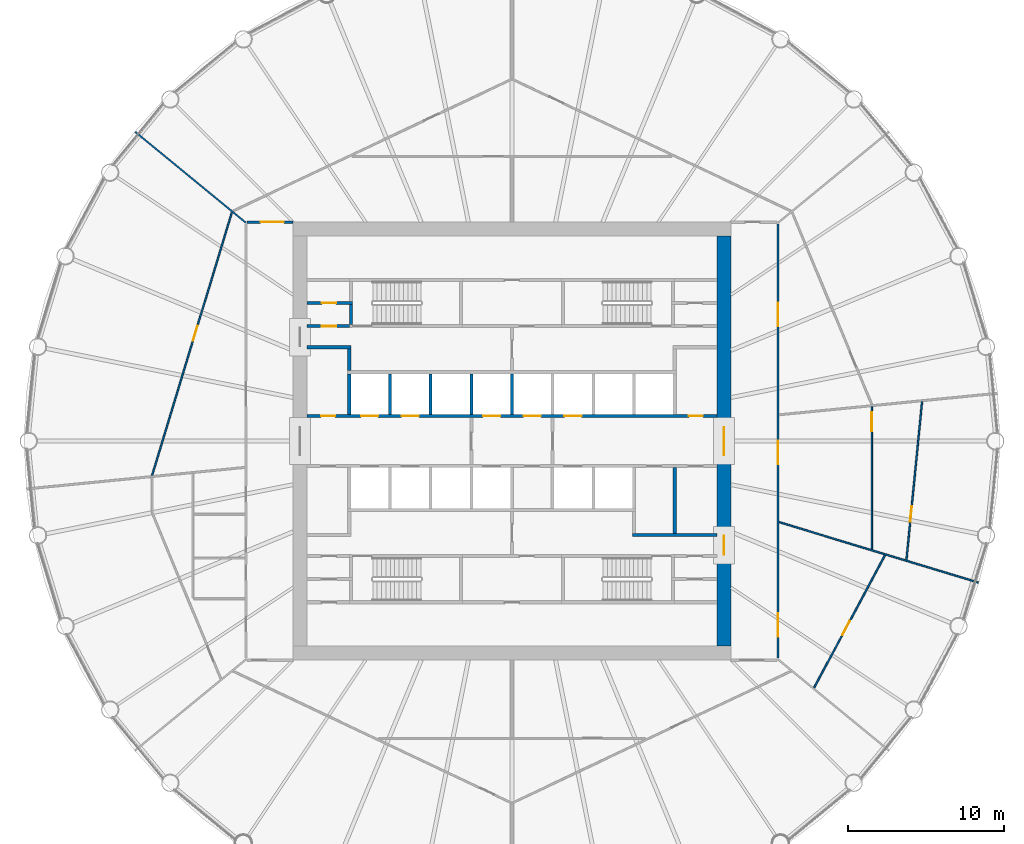
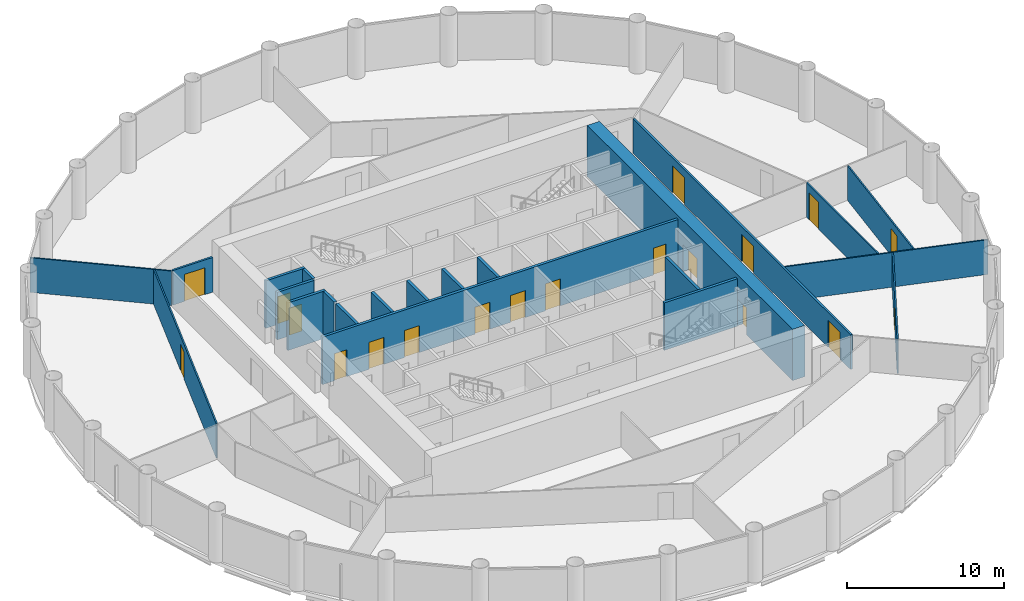
# One storey, part 6 of 9: 22 walls, 19 doors, 19 openings.
"""IFC4 building model written with IfcOpenShell, lengths in metres."""

from ifc_helpers import new_model, si_unit, direction, frame, frame_2d, origin, place, context, subcontext, project, spatial, polyline, rectangle, outline, extrude, material, layer, layer_set, type_object, element, fill, save


model = new_model("IFC4")

# Units and contexts
model_context = context("Model", 3, precision=1e-05, world=origin(), true_north=direction((0.0, 1.0)))
body_context = subcontext(model_context, "Body", "Model", "MODEL_VIEW")
ifc_project = project(units=[si_unit("LENGTHUNIT", "METRE"), si_unit("AREAUNIT", "SQUARE_METRE"), si_unit("VOLUMEUNIT", "CUBIC_METRE"), si_unit("PLANEANGLEUNIT", "RADIAN"), si_unit("MASSUNIT", "GRAM", prefix="KILO")], contexts=[model_context])

# Site, building, storey
site_placement = place(None, origin())
site = spatial("IfcSite", under=ifc_project, at=site_placement, CompositionType="ELEMENT")
building_placement = place(site_placement, origin())
building = spatial("IfcBuilding", under=site, at=building_placement, Name="Corvane Civic Tower", CompositionType="ELEMENT")
storey_placement = place(building_placement, frame((0.0, 0.0, 172.0)))
storey = spatial("IfcBuildingStorey", under=building, at=storey_placement, Name="L40", CompositionType="ELEMENT", Elevation=172.0)

# Wall, openings, doors
ifc_material_1 = material(Name="Concrete C60/75", Category="concrete")
ifc_layer_1 = layer(ifc_material_1, 0.89990234375)
ifc_layer_set_1 = layer_set([ifc_layer_1], Name="Concrete C60/75")
wall_type_1 = type_object("IfcWallType", Name="CORE WALL 900 C60/75", PredefinedType="SHEAR", material=ifc_layer_set_1)
wall_1_placement = place(storey_placement, frame((13.550048828125, -13.10009765625, 0.0), z_axis=(0.0, 0.0, 1.0), x_axis=(0.0, 1.0, 0.0)))
wall_1 = element("IfcWall", 1, at=wall_1_placement, inside=storey, type_object=wall_type_1, Name="W-L40-core-E", PredefinedType="SHEAR", context=body_context, shape_type="SweptSolid", body=[
    extrude(rectangle(XDim=26.2001953125, YDim=0.89990234375, at=frame_2d((13.10009765625, 0.0))), origin(), (0.0, 0.0, 1.0), 4.0),
])
opening_1_placement = place(wall_1_placement, frame((12.199951171875, 0.0, 0.0)))
opening_1 = element("IfcOpeningElement", 2, at=opening_1_placement, cuts=wall_1, Name="Opening L40.C29", PredefinedType="OPENING", context=body_context, shape_type="SweptSolid", body=[
    extrude(rectangle(XDim=1.800048828125, YDim=2.10009765625, at=frame_2d((0.89990234375, 1.050048828125))), frame((0.0, 0.4599609375, 0.0), z_axis=(0.0, -1.0, 0.0), x_axis=(1.0, 0.0, 0.0)), (0.0, 0.0, 1.0), 0.919921875),
])
opening_2_placement = place(wall_1_placement, frame((5.85009765625, 0.0, 0.0)))
opening_2 = element("IfcOpeningElement", 3, at=opening_2_placement, cuts=wall_1, Name="Opening L40.C31", PredefinedType="OPENING", context=body_context, shape_type="SweptSolid", body=[
    extrude(rectangle(XDim=1.199951171875, YDim=2.10009765625, at=frame_2d((0.60009765625, 1.050048828125))), frame((0.0, 0.4599609375, 0.0), z_axis=(0.0, -1.0, 0.0), x_axis=(1.0, 0.0, 0.0)), (0.0, 0.0, 1.0), 0.919921875),
])
ifc_material_2 = material(Name="Steel fire door leaf", Category="steel")
door_type_1 = type_object("IfcDoorType", Name="CR-DOOR-CORE-1800", OperationType="DOUBLE_DOOR_SINGLE_SWING", PredefinedType="DOOR", material=ifc_material_2)
door_1_placement = place(opening_1_placement, origin())
door_1 = element("IfcDoor", 4, at=door_1_placement, inside=storey, type_object=door_type_1, Name="L40 door", OperationType="DOUBLE_DOOR_SINGLE_SWING", OverallHeight=2.10009765625, OverallWidth=1.800048828125, PredefinedType="DOOR", context=body_context, shape_type="SweptSolid", body=[
    extrude(rectangle(XDim=1.800048828125, YDim=2.10009765625, at=frame_2d((0.89990234375, 1.050048828125))), frame((0.0, 0.02490234375, 0.0), z_axis=(0.0, -1.0, 0.0), x_axis=(1.0, 0.0, 0.0)), (0.0, 0.0, 1.0), 0.050048828125),
])
fill(opening_1, door_1)
door_2_placement = place(opening_2_placement, origin())
door_2 = element("IfcDoor", 5, at=door_2_placement, inside=storey, type_object=door_type_1, Name="L40 door", OperationType="DOUBLE_DOOR_SINGLE_SWING", OverallHeight=2.10009765625, OverallWidth=1.199951171875, PredefinedType="DOOR", context=body_context, shape_type="SweptSolid", body=[
    extrude(rectangle(XDim=1.199951171875, YDim=2.10009765625, at=frame_2d((0.60009765625, 1.050048828125))), frame((0.0, 0.02490234375, 0.0), z_axis=(0.0, -1.0, 0.0), x_axis=(1.0, 0.0, 0.0)), (0.0, 0.0, 1.0), 0.050048828125),
])
fill(opening_2, door_2)

ifc_material_3 = material(Name="Concrete C30/37", Category="concrete")
ifc_layer_2 = layer(ifc_material_3, 0.199951171875)
ifc_layer_set_2 = layer_set([ifc_layer_2], Name="Concrete C30/37")
wall_type_2 = type_object("IfcWallType", Name="CR-WALL-200", PredefinedType="PARTITIONING", material=ifc_layer_set_2)
wall_2_placement = place(storey_placement, frame((-13.10009765625, 1.60009765625, 0.0), z_axis=(0.0, 0.0, 1.0), x_axis=(1.0, 0.0, 0.0)))
wall_2 = element("IfcWall", 6, at=wall_2_placement, inside=storey, type_object=wall_type_2, Name="L40 lift shaft wall", PredefinedType="PARTITIONING", context=body_context, shape_type="SweptSolid", body=[
    extrude(rectangle(XDim=26.2001953125, YDim=0.199951171875, at=frame_2d((13.10009765625, 0.0))), origin(), (0.0, 0.0, 1.0), 3.699951171875),
])
opening_3_placement = place(wall_2_placement, frame((3.449951171875, 0.0, 0.0)))
opening_3 = element("IfcOpeningElement", 7, at=opening_3_placement, cuts=wall_2, Name="Opening LD", PredefinedType="OPENING", context=body_context, shape_type="SweptSolid", body=[
    extrude(rectangle(XDim=1.10009765625, YDim=2.10009765625, at=frame_2d((0.550048828125, 1.050048828125))), frame((0.0, 0.10986328125, 0.0), z_axis=(0.0, -1.0, 0.0), x_axis=(1.0, 0.0, 0.0)), (0.0, 0.0, 1.0), 0.219970703125),
])
opening_4_placement = place(wall_2_placement, frame((6.050048828125, 0.0, 0.0)))
opening_4 = element("IfcOpeningElement", 8, at=opening_4_placement, cuts=wall_2, Name="Opening LD", PredefinedType="OPENING", context=body_context, shape_type="SweptSolid", body=[
    extrude(rectangle(XDim=1.10009765625, YDim=2.10009765625, at=frame_2d((0.550048828125, 1.050048828125))), frame((0.0, 0.10986328125, 0.0), z_axis=(0.0, -1.0, 0.0), x_axis=(1.0, 0.0, 0.0)), (0.0, 0.0, 1.0), 0.219970703125),
])
opening_5_placement = place(wall_2_placement, frame((11.25, 0.0, 0.0)))
opening_5 = element("IfcOpeningElement", 9, at=opening_5_placement, cuts=wall_2, Name="Opening LD", PredefinedType="OPENING", context=body_context, shape_type="SweptSolid", body=[
    extrude(rectangle(XDim=1.10009765625, YDim=2.10009765625, at=frame_2d((0.550048828125, 1.050048828125))), frame((0.0, 0.10986328125, 0.0), z_axis=(0.0, -1.0, 0.0), x_axis=(1.0, 0.0, 0.0)), (0.0, 0.0, 1.0), 0.219970703125),
])
opening_6_placement = place(wall_2_placement, frame((13.85009765625, 0.0, 0.0)))
opening_6 = element("IfcOpeningElement", 10, at=opening_6_placement, cuts=wall_2, Name="Opening LD", PredefinedType="OPENING", context=body_context, shape_type="SweptSolid", body=[
    extrude(rectangle(XDim=1.10009765625, YDim=2.10009765625, at=frame_2d((0.550048828125, 1.050048828125))), frame((0.0, 0.10986328125, 0.0), z_axis=(0.0, -1.0, 0.0), x_axis=(1.0, 0.0, 0.0)), (0.0, 0.0, 1.0), 0.219970703125),
])
opening_7_placement = place(wall_2_placement, frame((16.449951171875, 0.0, 0.0)))
opening_7 = element("IfcOpeningElement", 11, at=opening_7_placement, cuts=wall_2, Name="Opening LD", PredefinedType="OPENING", context=body_context, shape_type="SweptSolid", body=[
    extrude(rectangle(XDim=1.10009765625, YDim=2.10009765625, at=frame_2d((0.550048828125, 1.050048828125))), frame((0.0, 0.10986328125, 0.0), z_axis=(0.0, -1.0, 0.0), x_axis=(1.0, 0.0, 0.0)), (0.0, 0.0, 1.0), 0.219970703125),
])
opening_8_placement = place(wall_2_placement, frame((0.89990234375, 0.0, 0.0)))
opening_8 = element("IfcOpeningElement", 12, at=opening_8_placement, cuts=wall_2, Name="Opening L40.C01", PredefinedType="OPENING", context=body_context, shape_type="SweptSolid", body=[
    extrude(rectangle(XDim=0.89990234375, YDim=2.10009765625, at=frame_2d((0.449951171875, 1.050048828125))), frame((0.0, 0.10986328125, 0.0), z_axis=(0.0, -1.0, 0.0), x_axis=(1.0, 0.0, 0.0)), (0.0, 0.0, 1.0), 0.219970703125),
])
opening_9_placement = place(wall_2_placement, frame((24.39990234375, 0.0, 0.0)))
opening_9 = element("IfcOpeningElement", 13, at=opening_9_placement, cuts=wall_2, Name="Opening L40.C02", PredefinedType="OPENING", context=body_context, shape_type="SweptSolid", body=[
    extrude(rectangle(XDim=0.89990234375, YDim=2.10009765625, at=frame_2d((0.449951171875, 1.050048828125))), frame((0.0, 0.10986328125, 0.0), z_axis=(0.0, -1.0, 0.0), x_axis=(1.0, 0.0, 0.0)), (0.0, 0.0, 1.0), 0.219970703125),
])
ifc_material_4 = material(Name="Steel fire door leaf", Category="steel")
door_type_2 = type_object("IfcDoorType", Name="CR-DOOR-900", OperationType="SINGLE_SWING_LEFT", PredefinedType="DOOR", material=ifc_material_4)
door_3_placement = place(opening_8_placement, origin())
door_3 = element("IfcDoor", 14, at=door_3_placement, inside=storey, type_object=door_type_2, Name="L40 door", OperationType="SINGLE_SWING_LEFT", OverallHeight=2.10009765625, OverallWidth=0.89990234375, PredefinedType="DOOR", context=body_context, shape_type="SweptSolid", body=[
    extrude(rectangle(XDim=0.89990234375, YDim=2.10009765625, at=frame_2d((0.449951171875, 1.050048828125))), frame((0.0, 0.02490234375, 0.0), z_axis=(0.0, -1.0, 0.0), x_axis=(1.0, 0.0, 0.0)), (0.0, 0.0, 1.0), 0.050048828125),
])
fill(opening_8, door_3)
door_4_placement = place(opening_9_placement, origin())
door_4 = element("IfcDoor", 15, at=door_4_placement, inside=storey, type_object=door_type_2, Name="L40 door", OperationType="SINGLE_SWING_LEFT", OverallHeight=2.10009765625, OverallWidth=0.89990234375, PredefinedType="DOOR", context=body_context, shape_type="SweptSolid", body=[
    extrude(rectangle(XDim=0.89990234375, YDim=2.10009765625, at=frame_2d((0.449951171875, 1.050048828125))), frame((0.0, 0.02490234375, 0.0), z_axis=(0.0, -1.0, 0.0), x_axis=(1.0, 0.0, 0.0)), (0.0, 0.0, 1.0), 0.050048828125),
])
fill(opening_9, door_4)
ifc_material_5 = material(Name="Stainless steel 316 door leaves", Category="steel")
door_type_3 = type_object("IfcDoorType", Name="LD", OperationType="DOUBLE_DOOR_SLIDING", PredefinedType="DOOR", material=ifc_material_5)
door_5_placement = place(opening_3_placement, origin())
door_5 = element("IfcDoor", 16, at=door_5_placement, inside=storey, type_object=door_type_3, Name="L40 landing door", OperationType="DOUBLE_DOOR_SLIDING", OverallHeight=2.10009765625, OverallWidth=1.10009765625, PredefinedType="DOOR", context=body_context, shape_type="SweptSolid", body=[
    extrude(rectangle(XDim=1.10009765625, YDim=2.10009765625, at=frame_2d((0.550048828125, 1.050048828125))), frame((0.0, 0.02490234375, 0.0), z_axis=(0.0, -1.0, 0.0), x_axis=(1.0, 0.0, 0.0)), (0.0, 0.0, 1.0), 0.050048828125),
])
fill(opening_3, door_5)
door_6_placement = place(opening_4_placement, origin())
door_6 = element("IfcDoor", 17, at=door_6_placement, inside=storey, type_object=door_type_3, Name="L40 landing door", OperationType="DOUBLE_DOOR_SLIDING", OverallHeight=2.10009765625, OverallWidth=1.10009765625, PredefinedType="DOOR", context=body_context, shape_type="SweptSolid", body=[
    extrude(rectangle(XDim=1.10009765625, YDim=2.10009765625, at=frame_2d((0.550048828125, 1.050048828125))), frame((0.0, 0.02490234375, 0.0), z_axis=(0.0, -1.0, 0.0), x_axis=(1.0, 0.0, 0.0)), (0.0, 0.0, 1.0), 0.050048828125),
])
fill(opening_4, door_6)
door_7_placement = place(opening_5_placement, origin())
door_7 = element("IfcDoor", 18, at=door_7_placement, inside=storey, type_object=door_type_3, Name="L40 landing door", OperationType="DOUBLE_DOOR_SLIDING", OverallHeight=2.10009765625, OverallWidth=1.10009765625, PredefinedType="DOOR", context=body_context, shape_type="SweptSolid", body=[
    extrude(rectangle(XDim=1.10009765625, YDim=2.10009765625, at=frame_2d((0.550048828125, 1.050048828125))), frame((0.0, 0.02490234375, 0.0), z_axis=(0.0, -1.0, 0.0), x_axis=(1.0, 0.0, 0.0)), (0.0, 0.0, 1.0), 0.050048828125),
])
fill(opening_5, door_7)
door_8_placement = place(opening_6_placement, origin())
door_8 = element("IfcDoor", 19, at=door_8_placement, inside=storey, type_object=door_type_3, Name="L40 landing door", OperationType="DOUBLE_DOOR_SLIDING", OverallHeight=2.10009765625, OverallWidth=1.10009765625, PredefinedType="DOOR", context=body_context, shape_type="SweptSolid", body=[
    extrude(rectangle(XDim=1.10009765625, YDim=2.10009765625, at=frame_2d((0.550048828125, 1.050048828125))), frame((0.0, 0.02490234375, 0.0), z_axis=(0.0, -1.0, 0.0), x_axis=(1.0, 0.0, 0.0)), (0.0, 0.0, 1.0), 0.050048828125),
])
fill(opening_6, door_8)
door_9_placement = place(opening_7_placement, origin())
door_9 = element("IfcDoor", 20, at=door_9_placement, inside=storey, type_object=door_type_3, Name="L40 landing door", OperationType="DOUBLE_DOOR_SLIDING", OverallHeight=2.10009765625, OverallWidth=1.10009765625, PredefinedType="DOOR", context=body_context, shape_type="SweptSolid", body=[
    extrude(rectangle(XDim=1.10009765625, YDim=2.10009765625, at=frame_2d((0.550048828125, 1.050048828125))), frame((0.0, 0.02490234375, 0.0), z_axis=(0.0, -1.0, 0.0), x_axis=(1.0, 0.0, 0.0)), (0.0, 0.0, 1.0), 0.050048828125),
])
fill(opening_7, door_9)

# Wall, opening, door
wall_3_placement = place(storey_placement, frame((-13.10009765625, 7.35009765625, 0.0), z_axis=(0.0, 0.0, 1.0), x_axis=(1.0, 0.0, 0.0)))
wall_3 = element("IfcWall", 21, at=wall_3_placement, inside=storey, type_object=wall_type_2, Name="L40 core partition wall", PredefinedType="PARTITIONING", context=body_context, shape_type="SweptSolid", body=[
    extrude(rectangle(XDim=2.7001953125, YDim=0.199951171875, at=frame_2d((1.35009765625, 0.0))), origin(), (0.0, 0.0, 1.0), 3.699951171875),
])
opening_10_placement = place(wall_3_placement, frame((0.949951171875, 0.0, 0.0)))
opening_10 = element("IfcOpeningElement", 22, at=opening_10_placement, cuts=wall_3, Name="Opening L40.C11", PredefinedType="OPENING", context=body_context, shape_type="SweptSolid", body=[
    extrude(rectangle(XDim=0.89990234375, YDim=2.10009765625, at=frame_2d((0.449951171875, 1.050048828125))), frame((0.0, 0.10986328125, 0.0), z_axis=(0.0, -1.0, 0.0), x_axis=(1.0, 0.0, 0.0)), (0.0, 0.0, 1.0), 0.219970703125),
])
door_10_placement = place(opening_10_placement, origin())
door_10 = element("IfcDoor", 23, at=door_10_placement, inside=storey, type_object=door_type_2, Name="L40 door", OperationType="SINGLE_SWING_LEFT", OverallHeight=2.10009765625, OverallWidth=0.89990234375, PredefinedType="DOOR", context=body_context, shape_type="SweptSolid", body=[
    extrude(rectangle(XDim=0.89990234375, YDim=2.10009765625, at=frame_2d((0.449951171875, 1.050048828125))), frame((0.0, 0.02490234375, 0.0), z_axis=(0.0, -1.0, 0.0), x_axis=(1.0, 0.0, 0.0)), (0.0, 0.0, 1.0), 0.050048828125),
])
fill(opening_10, door_10)

wall_4_placement = place(storey_placement, frame((-13.10009765625, 8.824951171875, 0.0), z_axis=(0.0, 0.0, 1.0), x_axis=(1.0, 0.0, 0.0)))
wall_4 = element("IfcWall", 24, at=wall_4_placement, inside=storey, type_object=wall_type_2, Name="L40 partition wall", PredefinedType="PARTITIONING", context=body_context, shape_type="SweptSolid", body=[
    extrude(rectangle(XDim=2.900146484375, YDim=0.199951171875, at=frame_2d((1.4501953125, 0.0))), origin(), (0.0, 0.0, 1.0), 3.699951171875),
])
opening_11_placement = place(wall_4_placement, frame((0.949951171875, 0.0, 0.0)))
opening_11 = element("IfcOpeningElement", 25, at=opening_11_placement, cuts=wall_4, Name="Opening L40.C12", PredefinedType="OPENING", context=body_context, shape_type="SweptSolid", body=[
    extrude(rectangle(XDim=0.89990234375, YDim=2.10009765625, at=frame_2d((0.449951171875, 1.050048828125))), frame((0.0, 0.10986328125, 0.0), z_axis=(0.0, -1.0, 0.0), x_axis=(1.0, 0.0, 0.0)), (0.0, 0.0, 1.0), 0.219970703125),
])
door_11_placement = place(opening_11_placement, origin())
door_11 = element("IfcDoor", 26, at=door_11_placement, inside=storey, type_object=door_type_2, Name="L40 door", OperationType="SINGLE_SWING_LEFT", OverallHeight=2.10009765625, OverallWidth=0.89990234375, PredefinedType="DOOR", context=body_context, shape_type="SweptSolid", body=[
    extrude(rectangle(XDim=0.89990234375, YDim=2.10009765625, at=frame_2d((0.449951171875, 1.050048828125))), frame((0.0, 0.02490234375, 0.0), z_axis=(0.0, -1.0, 0.0), x_axis=(1.0, 0.0, 0.0)), (0.0, 0.0, 1.0), 0.050048828125),
])
fill(opening_11, door_11)

# Walls
wall_5_placement = place(storey_placement, origin())
element("IfcWall", 27, at=wall_5_placement, inside=storey, type_object=wall_type_2, Name="L40 core partition wall", PredefinedType="PARTITIONING", context=body_context, shape_type="SweptSolid", body=[
    extrude(outline(polyline([(13.10009765625, -6.10009765625), (7.699951171875, -6.10009765625), (7.699951171875, -5.89990234375), (13.10009765625, -5.89990234375), (13.10009765625, -6.10009765625)])), origin(), (0.0, 0.0, 1.0), 3.699951171875),
])
wall_6_placement = place(storey_placement, origin())
element("IfcWall", 28, at=wall_6_placement, inside=storey, type_object=wall_type_2, Name="L40 core partition wall", PredefinedType="PARTITIONING", context=body_context, shape_type="SweptSolid", body=[
    extrude(outline(polyline([(10.5, -1.699951171875), (10.5, -5.89990234375), (10.300048828125, -5.89990234375), (10.300048828125, -1.699951171875), (10.5, -1.699951171875)])), origin(), (0.0, 0.0, 1.0), 3.699951171875),
])
wall_7_placement = place(storey_placement, origin())
element("IfcWall", 29, at=wall_7_placement, inside=storey, type_object=wall_type_2, Name="L40 core partition wall", PredefinedType="PARTITIONING", context=body_context, shape_type="SweptSolid", body=[
    extrude(outline(polyline([(-10.300048828125, 5.89990234375), (-13.10009765625, 5.89990234375), (-13.10009765625, 6.10009765625), (-10.300048828125, 6.10009765625), (-10.300048828125, 5.89990234375)])), origin(), (0.0, 0.0, 1.0), 3.699951171875),
])
wall_8_placement = place(storey_placement, origin())
element("IfcWall", 30, at=wall_8_placement, inside=storey, type_object=wall_type_2, Name="L40 core partition wall", PredefinedType="PARTITIONING", context=body_context, shape_type="SweptSolid", body=[
    extrude(outline(polyline([(-2.5, 1.699951171875), (-2.699951171875, 1.699951171875), (-2.699951171875, 4.2998046875), (-2.5, 4.2998046875), (-2.5, 1.699951171875)])), origin(), (0.0, 0.0, 1.0), 3.699951171875),
])
wall_9_placement = place(storey_placement, origin())
element("IfcWall", 31, at=wall_9_placement, inside=storey, type_object=wall_type_2, Name="L40 core partition wall", PredefinedType="PARTITIONING", context=body_context, shape_type="SweptSolid", body=[
    extrude(outline(polyline([(0.10009765625, 1.699951171875), (-0.10009765625, 1.699951171875), (-0.10009765625, 4.2998046875), (0.10009765625, 4.2998046875), (0.10009765625, 1.699951171875)])), origin(), (0.0, 0.0, 1.0), 3.699951171875),
])
wall_10_placement = place(storey_placement, origin())
element("IfcWall", 32, at=wall_10_placement, inside=storey, type_object=wall_type_2, Name="L40 core partition wall", PredefinedType="PARTITIONING", context=body_context, shape_type="SweptSolid", body=[
    extrude(outline(polyline([(-10.300048828125, 1.699951171875), (-10.5, 1.699951171875), (-10.5, 4.2998046875), (-10.300048828125, 4.2998046875), (-10.300048828125, 1.699951171875)])), origin(), (0.0, 0.0, 1.0), 3.699951171875),
])
wall_11_placement = place(storey_placement, origin())
element("IfcWall", 33, at=wall_11_placement, inside=storey, type_object=wall_type_2, Name="L40 core partition wall", PredefinedType="PARTITIONING", context=body_context, shape_type="SweptSolid", body=[
    extrude(outline(polyline([(-7.699951171875, 1.699951171875), (-7.89990234375, 1.699951171875), (-7.89990234375, 4.2998046875), (-7.699951171875, 4.2998046875), (-7.699951171875, 1.699951171875)])), origin(), (0.0, 0.0, 1.0), 3.699951171875),
])
wall_12_placement = place(storey_placement, origin())
element("IfcWall", 34, at=wall_12_placement, inside=storey, type_object=wall_type_2, Name="L40 core partition wall", PredefinedType="PARTITIONING", context=body_context, shape_type="SweptSolid", body=[
    extrude(outline(polyline([(-5.10009765625, 1.699951171875), (-5.300048828125, 1.699951171875), (-5.300048828125, 4.2998046875), (-5.10009765625, 4.2998046875), (-5.10009765625, 1.699951171875)])), origin(), (0.0, 0.0, 1.0), 3.699951171875),
])
wall_13_placement = place(storey_placement, origin())
element("IfcWall", 35, at=wall_13_placement, inside=storey, type_object=wall_type_2, Name="L40 core partition wall", PredefinedType="PARTITIONING", context=body_context, shape_type="SweptSolid", body=[
    extrude(outline(polyline([(-10.300048828125, 4.5), (-10.5, 4.5), (-10.5, 5.89990234375), (-10.300048828125, 5.89990234375), (-10.300048828125, 4.5)])), origin(), (0.0, 0.0, 1.0), 3.699951171875),
])

# Wall, opening, door
ifc_material_6 = material(Name="Plasterboard")
ifc_layer_3 = layer(ifc_material_6, 0.10009765625)
ifc_layer_set_3 = layer_set([ifc_layer_3], Name="Plasterboard")
wall_type_3 = type_object("IfcWallType", Name="Partition 100 plasterboard on studs", PredefinedType="PARTITIONING", material=ifc_layer_set_3)
wall_14_placement = place(storey_placement, frame((19.309814453125, -15.769775390625, 0.0), z_axis=(0.0, 0.0, 1.0), x_axis=(0.471375227101, 0.881932761199, 0.0)))
wall_14 = element("IfcWall", 36, at=wall_14_placement, inside=storey, type_object=wall_type_3, Name="Partition L40.008", PredefinedType="PARTITIONING", context=body_context, shape_type="SweptSolid", body=[
    extrude(rectangle(XDim=9.6103515625, YDim=0.10009765625, at=frame_2d((4.80517578125, 0.0))), origin(), (0.0, 0.0, 1.0), 2.699951171875),
])
opening_12_placement = place(wall_14_placement, frame((3.83349609375, 0.0, 0.0)))
opening_12 = element("IfcOpeningElement", 37, at=opening_12_placement, cuts=wall_14, Name="Opening L40.016", PredefinedType="OPENING", context=body_context, shape_type="SweptSolid", body=[
    extrude(rectangle(XDim=1.0, YDim=2.10009765625, at=frame_2d((0.5, 1.050048828125))), frame((0.0, 0.06005859375, 0.0), z_axis=(0.0, -1.0, 0.0), x_axis=(1.0, 0.0, 0.0)), (0.0, 0.0, 1.0), 0.1201171875),
])
ifc_material_7 = material(Name="Timber", Category="wood")
door_type_4 = type_object("IfcDoorType", Name="Single door 1000", OperationType="NOTDEFINED", PredefinedType="DOOR", material=ifc_material_7)
door_12_placement = place(opening_12_placement, frame((1.0, 0.0, 0.0), z_axis=(0.0, 0.0, 1.0), x_axis=(-1.0, 0.0, 0.0)))
door_12 = element("IfcDoor", 38, at=door_12_placement, inside=storey, type_object=door_type_4, Name="Door L40.016", OperationType="SINGLE_SWING_LEFT", OverallHeight=2.10009765625, OverallWidth=1.0, PredefinedType="DOOR", context=body_context, shape_type="SweptSolid", body=[
    extrude(rectangle(XDim=1.0, YDim=2.10009765625, at=frame_2d((0.5, 1.050048828125))), frame((0.0, 0.02490234375, 0.0), z_axis=(0.0, -1.0, 0.0), x_axis=(1.0, 0.0, 0.0)), (0.0, 0.0, 1.0), 0.050048828125),
])
fill(opening_12, door_12)

# Wall
wall_15_placement = place(storey_placement, frame((17.089599609375, -5.18408203125, 0.0), z_axis=(0.0, 0.0, 1.0), x_axis=(0.956939088308, -0.290288789428, 0.0)))
element("IfcWall", 39, at=wall_15_placement, inside=storey, type_object=wall_type_3, Name="Partition L40.016", PredefinedType="PARTITIONING", context=body_context, shape_type="SweptSolid", body=[
    extrude(rectangle(XDim=13.29150390625, YDim=0.10009765625, at=frame_2d((6.645751953125, 0.0))), origin(), (0.0, 0.0, 1.0), 2.699951171875),
])

# Wall, opening, door
wall_16_placement = place(storey_placement, frame((25.216064453125, -7.586669921875, 0.0), z_axis=(0.0, 0.0, 1.0), x_axis=(0.098020959385, 0.995184350521, 0.0)))
wall_16 = element("IfcWall", 40, at=wall_16_placement, inside=storey, type_object=wall_type_3, Name="Partition L40.017", PredefinedType="PARTITIONING", context=body_context, shape_type="SweptSolid", body=[
    extrude(rectangle(XDim=10.156982421875, YDim=0.10009765625, at=frame_2d((5.07861328125, 0.0))), origin(), (0.0, 0.0, 1.0), 2.699951171875),
])
opening_13_placement = place(wall_16_placement, frame((2.4521484375, 0.0, 0.0)))
opening_13 = element("IfcOpeningElement", 41, at=opening_13_placement, cuts=wall_16, Name="Opening L40.013", PredefinedType="OPENING", context=body_context, shape_type="SweptSolid", body=[
    extrude(rectangle(XDim=1.0, YDim=2.10009765625, at=frame_2d((0.5, 1.050048828125))), frame((0.0, 0.06005859375, 0.0), z_axis=(0.0, -1.0, 0.0), x_axis=(1.0, 0.0, 0.0)), (0.0, 0.0, 1.0), 0.1201171875),
])
door_13_placement = place(opening_13_placement, frame((1.0, 0.0, 0.0), z_axis=(0.0, 0.0, 1.0), x_axis=(-1.0, 0.0, 0.0)))
door_13 = element("IfcDoor", 42, at=door_13_placement, inside=storey, type_object=door_type_4, Name="Door L40.013", OperationType="SINGLE_SWING_LEFT", OverallHeight=2.10009765625, OverallWidth=1.0, PredefinedType="DOOR", context=body_context, shape_type="SweptSolid", body=[
    extrude(rectangle(XDim=1.0, YDim=2.10009765625, at=frame_2d((0.5, 1.050048828125))), frame((0.0, 0.02490234375, 0.0), z_axis=(0.0, -1.0, 0.0), x_axis=(1.0, 0.0, 0.0)), (0.0, 0.0, 1.0), 0.050048828125),
])
fill(opening_13, door_13)

wall_17_placement = place(storey_placement, frame((23.0, -6.90966796875, 0.0), z_axis=(0.0, 0.0, 1.0), x_axis=(0.0, 1.0, 0.0)))
wall_17 = element("IfcWall", 43, at=wall_17_placement, inside=storey, type_object=wall_type_3, Name="Partition L40.019", PredefinedType="PARTITIONING", context=body_context, shape_type="SweptSolid", body=[
    extrude(rectangle(XDim=9.119873046875, YDim=0.10009765625, at=frame_2d((4.56005859375, 0.0))), origin(), (0.0, 0.0, 1.0), 2.699951171875),
])
opening_14_placement = place(wall_17_placement, frame((7.555908203125, 0.0, 0.0)))
opening_14 = element("IfcOpeningElement", 44, at=opening_14_placement, cuts=wall_17, Name="Opening L40.014", PredefinedType="OPENING", context=body_context, shape_type="SweptSolid", body=[
    extrude(rectangle(XDim=1.199951171875, YDim=2.10009765625, at=frame_2d((0.60009765625, 1.050048828125))), frame((0.0, 0.06005859375, 0.0), z_axis=(0.0, -1.0, 0.0), x_axis=(1.0, 0.0, 0.0)), (0.0, 0.0, 1.0), 0.1201171875),
])
ifc_material_8 = material(Name="Timber", Category="wood")
door_type_5 = type_object("IfcDoorType", Name="Double door 1200", OperationType="NOTDEFINED", PredefinedType="DOOR", material=ifc_material_8)
door_14_placement = place(opening_14_placement, frame((1.199951171875, 0.0, 0.0), z_axis=(0.0, 0.0, 1.0), x_axis=(-1.0, 0.0, 0.0)))
door_14 = element("IfcDoor", 45, at=door_14_placement, inside=storey, type_object=door_type_5, Name="Door L40.014", OperationType="DOUBLE_DOOR_SINGLE_SWING", OverallHeight=2.10009765625, OverallWidth=1.199951171875, PredefinedType="DOOR", context=body_context, shape_type="SweptSolid", body=[
    extrude(rectangle(XDim=1.199951171875, YDim=2.10009765625, at=frame_2d((0.60009765625, 1.050048828125))), frame((0.0, 0.02490234375, 0.0), z_axis=(0.0, -1.0, 0.0), x_axis=(1.0, 0.0, 0.0)), (0.0, 0.0, 1.0), 0.050048828125),
])
fill(opening_14, door_14)

wall_18_placement = place(storey_placement, frame((-23.007568359375, -2.196533203125, 0.0), z_axis=(0.0, 0.0, 1.0), x_axis=(0.2902902072, 0.956938658224, 0.0)))
wall_18 = element("IfcWall", 46, at=wall_18_placement, inside=storey, type_object=wall_type_3, Name="Partition L40.023", PredefinedType="PARTITIONING", context=body_context, shape_type="SweptSolid", body=[
    extrude(rectangle(XDim=17.561279296875, YDim=0.10009765625, at=frame_2d((8.78076171875, 0.0))), origin(), (0.0, 0.0, 1.0), 2.699951171875),
])
opening_15_placement = place(wall_18_placement, frame((9.005615234375, 0.0, 0.0)))
opening_15 = element("IfcOpeningElement", 47, at=opening_15_placement, cuts=wall_18, Name="Opening L40.023", PredefinedType="OPENING", context=body_context, shape_type="SweptSolid", body=[
    extrude(rectangle(XDim=1.0, YDim=2.10009765625, at=frame_2d((0.5, 1.050048828125))), frame((0.0, 0.06005859375, 0.0), z_axis=(0.0, -1.0, 0.0), x_axis=(1.0, 0.0, 0.0)), (0.0, 0.0, 1.0), 0.1201171875),
])
door_15_placement = place(opening_15_placement, origin())
door_15 = element("IfcDoor", 48, at=door_15_placement, inside=storey, type_object=door_type_4, Name="Door L40.023", OperationType="SINGLE_SWING_LEFT", OverallHeight=2.10009765625, OverallWidth=1.0, PredefinedType="DOOR", context=body_context, shape_type="SweptSolid", body=[
    extrude(rectangle(XDim=1.0, YDim=2.10009765625, at=frame_2d((0.5, 1.050048828125))), frame((0.0, 0.02490234375, 0.0), z_axis=(0.0, -1.0, 0.0), x_axis=(1.0, 0.0, 0.0)), (0.0, 0.0, 1.0), 0.050048828125),
])
fill(opening_15, door_15)

# Walls
wall_19_placement = place(storey_placement, frame((-24.079345703125, 19.761474609375, 0.0), z_axis=(0.0, 0.0, 1.0), x_axis=(0.773006154143, -0.634398522742, 0.0)))
element("IfcWall", 49, at=wall_19_placement, inside=storey, type_object=wall_type_3, Name="Partition L40.026", PredefinedType="PARTITIONING", context=body_context, shape_type="SweptSolid", body=[
    extrude(rectangle(XDim=9.134521484375, YDim=0.10009765625, at=frame_2d((4.5673828125, 0.0))), origin(), (0.0, 0.0, 1.0), 2.699951171875),
])
ifc_material_9 = material(Name="Concrete C50/60", Category="concrete")
ifc_layer_4 = layer(ifc_material_9, 0.199951171875)
ifc_layer_set_4 = layer_set([ifc_layer_4], Name="Concrete C50/60")
wall_type_4 = type_object("IfcWallType", Name="ST-WALL-200", PredefinedType="SHEAR", material=ifc_layer_set_4)
wall_20_placement = place(storey_placement, origin())
element("IfcWall", 50, at=wall_20_placement, inside=storey, type_object=wall_type_4, Name="L40 stair enclosure wall", PredefinedType="SHEAR", context=body_context, shape_type="SweptSolid", body=[
    extrude(outline(polyline([(-10.199951171875, 8.72509765625), (-10.199951171875, 7.449951171875), (-10.39990234375, 7.449951171875), (-10.39990234375, 8.72509765625), (-10.199951171875, 8.72509765625)])), origin(), (0.0, 0.0, 1.0), 3.699951171875),
])

# Wall, openings, doors
ifc_material_10 = material(Name="Plasterboard")
ifc_layer_5 = layer(ifc_material_10, 0.14990234375)
ifc_layer_set_5 = layer_set([ifc_layer_5], Name="Plasterboard")
wall_type_5 = type_object("IfcWallType", Name="Tenancy wall 150 EI 60", PredefinedType="PARTITIONING", material=ifc_layer_set_5)
wall_21_placement = place(storey_placement, frame((17.0, -13.87646484375, 0.0), z_axis=(0.0, 0.0, 1.0), x_axis=(0.0, 1.0, 0.0)))
wall_21 = element("IfcWall", 51, at=wall_21_placement, inside=storey, type_object=wall_type_5, Name="Partition L40.013", PredefinedType="PARTITIONING", context=body_context, shape_type="SweptSolid", body=[
    extrude(rectangle(XDim=27.7529296875, YDim=0.14990234375, at=frame_2d((13.87646484375, 0.0))), origin(), (0.0, 0.0, 1.0), 2.699951171875),
])
opening_16_placement = place(wall_21_placement, frame((21.2138671875, 0.0, 0.0)))
opening_16 = element("IfcOpeningElement", 52, at=opening_16_placement, cuts=wall_21, Name="Opening L40.012", PredefinedType="OPENING", context=body_context, shape_type="SweptSolid", body=[
    extrude(rectangle(XDim=1.5, YDim=2.10009765625, at=frame_2d((0.75, 1.050048828125))), frame((0.0, 0.0849609375, 0.0), z_axis=(0.0, -1.0, 0.0), x_axis=(1.0, 0.0, 0.0)), (0.0, 0.0, 1.0), 0.169921875),
])
opening_17_placement = place(wall_21_placement, frame((12.397216796875, 0.0, 0.0)))
opening_17 = element("IfcOpeningElement", 53, at=opening_17_placement, cuts=wall_21, Name="Opening L40.015", PredefinedType="OPENING", context=body_context, shape_type="SweptSolid", body=[
    extrude(rectangle(XDim=1.5, YDim=2.10009765625, at=frame_2d((0.75, 1.050048828125))), frame((0.0, 0.0849609375, 0.0), z_axis=(0.0, -1.0, 0.0), x_axis=(1.0, 0.0, 0.0)), (0.0, 0.0, 1.0), 0.169921875),
])
opening_18_placement = place(wall_21_placement, frame((1.360595703125, 0.0, 0.0)))
opening_18 = element("IfcOpeningElement", 54, at=opening_18_placement, cuts=wall_21, Name="Opening L40.017", PredefinedType="OPENING", context=body_context, shape_type="SweptSolid", body=[
    extrude(rectangle(XDim=1.5, YDim=2.10009765625, at=frame_2d((0.75, 1.050048828125))), frame((0.0, 0.0849609375, 0.0), z_axis=(0.0, -1.0, 0.0), x_axis=(1.0, 0.0, 0.0)), (0.0, 0.0, 1.0), 0.169921875),
])
ifc_material_11 = material(Name="Steel and timber", Category="steel")
door_type_6 = type_object("IfcDoorType", Name="Fire door FD60 double 1500", OperationType="NOTDEFINED", PredefinedType="DOOR", material=ifc_material_11)
door_16_placement = place(opening_16_placement, frame((1.5, 0.0, 0.0), z_axis=(0.0, 0.0, 1.0), x_axis=(-1.0, 0.0, 0.0)))
door_16 = element("IfcDoor", 55, at=door_16_placement, inside=storey, type_object=door_type_6, Name="Door L40.012", OperationType="DOUBLE_DOOR_SINGLE_SWING", OverallHeight=2.10009765625, OverallWidth=1.5, PredefinedType="DOOR", context=body_context, shape_type="SweptSolid", body=[
    extrude(rectangle(XDim=1.5, YDim=2.10009765625, at=frame_2d((0.75, 1.050048828125))), frame((0.0, 0.02490234375, 0.0), z_axis=(0.0, -1.0, 0.0), x_axis=(1.0, 0.0, 0.0)), (0.0, 0.0, 1.0), 0.050048828125),
])
fill(opening_16, door_16)
door_17_placement = place(opening_17_placement, frame((1.5, 0.0, 0.0), z_axis=(0.0, 0.0, 1.0), x_axis=(-1.0, 0.0, 0.0)))
door_17 = element("IfcDoor", 56, at=door_17_placement, inside=storey, type_object=door_type_6, Name="Door L40.015", OperationType="DOUBLE_DOOR_SINGLE_SWING", OverallHeight=2.10009765625, OverallWidth=1.5, PredefinedType="DOOR", context=body_context, shape_type="SweptSolid", body=[
    extrude(rectangle(XDim=1.5, YDim=2.10009765625, at=frame_2d((0.75, 1.050048828125))), frame((0.0, 0.02490234375, 0.0), z_axis=(0.0, -1.0, 0.0), x_axis=(1.0, 0.0, 0.0)), (0.0, 0.0, 1.0), 0.050048828125),
])
fill(opening_17, door_17)
door_18_placement = place(opening_18_placement, frame((1.5, 0.0, 0.0), z_axis=(0.0, 0.0, 1.0), x_axis=(-1.0, 0.0, 0.0)))
door_18 = element("IfcDoor", 57, at=door_18_placement, inside=storey, type_object=door_type_6, Name="Door L40.017", OperationType="DOUBLE_DOOR_SINGLE_SWING", OverallHeight=2.10009765625, OverallWidth=1.5, PredefinedType="DOOR", context=body_context, shape_type="SweptSolid", body=[
    extrude(rectangle(XDim=1.5, YDim=2.10009765625, at=frame_2d((0.75, 1.050048828125))), frame((0.0, 0.02490234375, 0.0), z_axis=(0.0, -1.0, 0.0), x_axis=(1.0, 0.0, 0.0)), (0.0, 0.0, 1.0), 0.050048828125),
])
fill(opening_18, door_18)

# Wall, opening, door
wall_22_placement = place(storey_placement, frame((-16.925048828125, 14.0, 0.0), z_axis=(0.0, 0.0, 1.0), x_axis=(1.0, 0.0, 0.0)))
wall_22 = element("IfcWall", 58, at=wall_22_placement, inside=storey, type_object=wall_type_5, Name="Partition L40.028", PredefinedType="PARTITIONING", context=body_context, shape_type="SweptSolid", body=[
    extrude(rectangle(XDim=2.93505859375, YDim=0.14990234375, at=frame_2d((1.467529296875, 0.0))), origin(), (0.0, 0.0, 1.0), 2.699951171875),
])
opening_19_placement = place(wall_22_placement, frame((0.849609375, 0.0, 0.0)))
opening_19 = element("IfcOpeningElement", 59, at=opening_19_placement, cuts=wall_22, Name="Opening L40.004", PredefinedType="OPENING", context=body_context, shape_type="SweptSolid", body=[
    extrude(rectangle(XDim=1.5, YDim=2.10009765625, at=frame_2d((0.75, 1.050048828125))), frame((0.0, 0.0849609375, 0.0), z_axis=(0.0, -1.0, 0.0), x_axis=(1.0, 0.0, 0.0)), (0.0, 0.0, 1.0), 0.169921875),
])
door_19_placement = place(opening_19_placement, origin())
door_19 = element("IfcDoor", 60, at=door_19_placement, inside=storey, type_object=door_type_6, Name="Door L40.004", OperationType="DOUBLE_DOOR_SINGLE_SWING", OverallHeight=2.10009765625, OverallWidth=1.5, PredefinedType="DOOR", context=body_context, shape_type="SweptSolid", body=[
    extrude(rectangle(XDim=1.5, YDim=2.10009765625, at=frame_2d((0.75, 1.050048828125))), frame((0.0, 0.02490234375, 0.0), z_axis=(0.0, -1.0, 0.0), x_axis=(1.0, 0.0, 0.0)), (0.0, 0.0, 1.0), 0.050048828125),
])
fill(opening_19, door_19)

save(model, "model.ifc")
